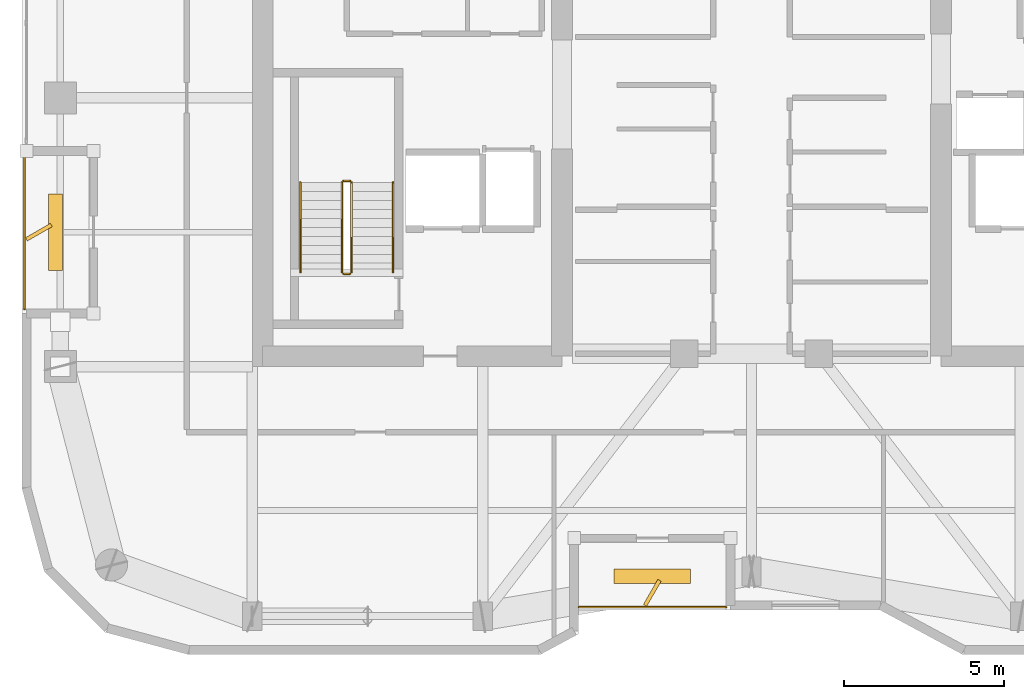
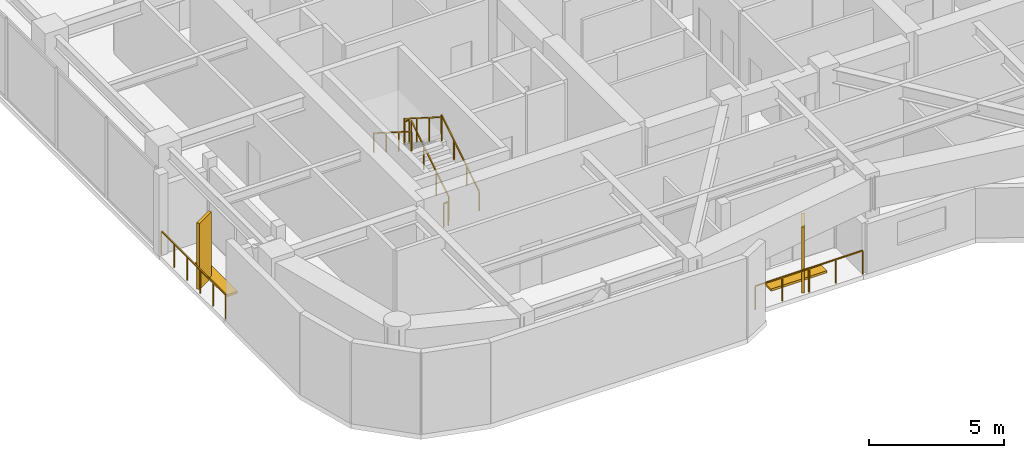
# One storey, part 19 of 21: 8 railings, 4 shading devices.
"""IFC4 building model written with IfcOpenShell, lengths in metres."""

from ifc_helpers import new_model, si_unit, direction, frame, origin, origin_2d, place, context, subcontext, project, spatial, rectangle, extrude, material, type_object, element, save


model = new_model("IFC4")

# Units and contexts
model_context = context("Model", 3, precision=1e-05, world=origin(), true_north=direction((0.0, 1.0)))
body_context = subcontext(model_context, "Body", "Model", "MODEL_VIEW")
ifc_project = project(units=[si_unit("LENGTHUNIT", "METRE"), si_unit("AREAUNIT", "SQUARE_METRE"), si_unit("VOLUMEUNIT", "CUBIC_METRE"), si_unit("PLANEANGLEUNIT", "RADIAN"), si_unit("MASSUNIT", "GRAM", prefix="KILO")], contexts=[model_context])

# Site, building, storey
site_placement = place(None, origin())
site = spatial("IfcSite", under=ifc_project, at=site_placement, CompositionType="ELEMENT")
building_placement = place(site_placement, origin())
building = spatial("IfcBuilding", under=site, at=building_placement, Name="Kiyonajd Concourse Tower", CompositionType="ELEMENT")
storey_placement = place(building_placement, frame((0.0, 0.0, 231.0)))
storey = spatial("IfcBuildingStorey", under=building, at=storey_placement, Name="L58", CompositionType="ELEMENT", Elevation=231.0)

# Railings
ifc_material_1 = material(Name="Thermally Broken Anodised Aluminium", Category="aluminium")
railing_type_1 = type_object("IfcRailingType", Name="RL-GRD-LOG", PredefinedType="GUARDRAIL", material=ifc_material_1)
railing_1_placement = place(storey_placement, frame((42.60009765625, 20.080078125, 0.0)))
element("IfcRailing", 1, at=railing_1_placement, inside=storey, type_object=railing_type_1, Name="L58 Engawa Loggia Perimeter Guard LOG-S", PredefinedType="GUARDRAIL", context=body_context, shape_type="SweptSolid", body=[
    extrude(rectangle(XDim=0.048095703125, YDim=0.048095703125, at=origin_2d()), frame((0.0, 0.0, 1.076171875), z_axis=(1.0, 0.0, 0.0), x_axis=(0.0, 1.0, 0.0)), (0.0, 0.0, 1.0), 4.599853515625),
    extrude(rectangle(XDim=0.0419921875, YDim=0.0419921875, at=origin_2d()), origin(), (0.0, 0.0, 1.0), 1.052001953125),
    extrude(rectangle(XDim=0.0419921875, YDim=0.0419921875, at=origin_2d()), frame((1.14990234375, 0.0, 0.0)), (0.0, 0.0, 1.0), 1.052001953125),
    extrude(rectangle(XDim=0.0419921875, YDim=0.0419921875, at=origin_2d()), frame((2.2998046875, 0.0, 0.0)), (0.0, 0.0, 1.0), 1.052001953125),
    extrude(rectangle(XDim=0.0419921875, YDim=0.0419921875, at=origin_2d()), frame((3.449951171875, 0.0, 0.0)), (0.0, 0.0, 1.0), 1.052001953125),
    extrude(rectangle(XDim=0.0419921875, YDim=0.0419921875, at=origin_2d()), frame((4.599853515625, 0.0, 0.0)), (0.0, 0.0, 1.0), 1.052001953125),
])
railing_2_placement = place(storey_placement, frame((25.280029296875, 34.199951171875, 0.0)))
element("IfcRailing", 2, at=railing_2_placement, inside=storey, type_object=railing_type_1, Name="L58 Engawa Loggia Perimeter Guard LOG-W", PredefinedType="GUARDRAIL", context=body_context, shape_type="SweptSolid", body=[
    extrude(rectangle(XDim=0.048095703125, YDim=0.048095703125, at=origin_2d()), frame((0.0, 0.0, 1.076171875), z_axis=(0.0, -1.0, 0.0), x_axis=(1.0, 0.0, 0.0)), (0.0, 0.0, 1.0), 4.800048828125),
    extrude(rectangle(XDim=0.0419921875, YDim=0.0419921875, at=origin_2d()), origin(), (0.0, 0.0, 1.0), 1.052001953125),
    extrude(rectangle(XDim=0.0419921875, YDim=0.0419921875, at=origin_2d()), frame((0.0, -0.9599609375, 0.0)), (0.0, 0.0, 1.0), 1.052001953125),
    extrude(rectangle(XDim=0.0419921875, YDim=0.0419921875, at=origin_2d()), frame((0.0, -1.919921875, 0.0)), (0.0, 0.0, 1.0), 1.052001953125),
    extrude(rectangle(XDim=0.0419921875, YDim=0.0419921875, at=origin_2d()), frame((0.0, -2.880126953125, 0.0)), (0.0, 0.0, 1.0), 1.052001953125),
    extrude(rectangle(XDim=0.0419921875, YDim=0.0419921875, at=origin_2d()), frame((0.0, -3.840087890625, 0.0)), (0.0, 0.0, 1.0), 1.052001953125),
    extrude(rectangle(XDim=0.0419921875, YDim=0.0419921875, at=origin_2d()), frame((0.0, -4.800048828125, 0.0)), (0.0, 0.0, 1.0), 1.052001953125),
])
ifc_material_2 = material(Name="Steel ASTM A500 Grade C", Category="steel")
railing_type_2 = type_object("IfcRailingType", Name="RL-GRD-STR", PredefinedType="GUARDRAIL", material=ifc_material_2)
railing_3_placement = place(storey_placement, frame((35.5, 30.550048828125, 0.17724609375)))
element("IfcRailing", 3, at=railing_3_placement, inside=storey, type_object=railing_type_2, Name="L58 ST1 stair guard 1", PredefinedType="GUARDRAIL", context=body_context, shape_type="SweptSolid", body=[
    extrude(rectangle(XDim=0.048095703125, YDim=0.048095703125, at=origin_2d()), frame((0.0, 0.0, 1.076171875), z_axis=(0.0, 0.844908973607, 0.534910110503), x_axis=(-1.0, 0.0, 0.0)), (0.0, 0.0, 1.0), 3.31396484375),
    extrude(rectangle(XDim=0.0419921875, YDim=0.0419921875, at=origin_2d()), origin(), (0.0, 0.0, 1.0), 1.052001953125),
    extrude(rectangle(XDim=0.0419921875, YDim=0.0419921875, at=origin_2d()), frame((0.0, 0.933349609375, 0.5908203125)), (0.0, 0.0, 1.0), 1.052001953125),
    extrude(rectangle(XDim=0.0419921875, YDim=0.0419921875, at=origin_2d()), frame((0.0, 1.86669921875, 1.181884765625)), (0.0, 0.0, 1.0), 1.052001953125),
    extrude(rectangle(XDim=0.0419921875, YDim=0.0419921875, at=origin_2d()), frame((0.0, 2.800048828125, 1.772705078125)), (0.0, 0.0, 1.0), 1.052001953125),
])
railing_4_placement = place(storey_placement, frame((35.449951171875, 33.39990234375, 1.949951171875)))
element("IfcRailing", 4, at=railing_4_placement, inside=storey, type_object=railing_type_2, Name="L58 ST1 stair guard 2", PredefinedType="GUARDRAIL", context=body_context, shape_type="SweptSolid", body=[
    extrude(rectangle(XDim=0.048095703125, YDim=0.048095703125, at=origin_2d()), frame((0.0, 0.0, 1.076171875), z_axis=(-1.0, 0.0, 0.0), x_axis=(0.0, -1.0, 0.0)), (0.0, 0.0, 1.0), 0.199951171875),
    extrude(rectangle(XDim=0.0419921875, YDim=0.0419921875, at=origin_2d()), origin(), (0.0, 0.0, 1.0), 1.052001953125),
    extrude(rectangle(XDim=0.0419921875, YDim=0.0419921875, at=origin_2d()), frame((-0.199951171875, 0.0, 0.0)), (0.0, 0.0, 1.0), 1.052001953125),
])
railing_5_placement = place(storey_placement, frame((35.199951171875, 33.35009765625, 2.127197265625)))
element("IfcRailing", 5, at=railing_5_placement, inside=storey, type_object=railing_type_2, Name="L58 ST1 stair guard 3", PredefinedType="GUARDRAIL", context=body_context, shape_type="SweptSolid", body=[
    extrude(rectangle(XDim=0.048095703125, YDim=0.048095703125, at=origin_2d()), frame((0.0, 0.0, 1.076171875), z_axis=(0.0, -0.844908973607, 0.534910110503), x_axis=(1.0, 0.0, 0.0)), (0.0, 0.0, 1.0), 3.31396484375),
    extrude(rectangle(XDim=0.0419921875, YDim=0.0419921875, at=origin_2d()), origin(), (0.0, 0.0, 1.0), 1.052001953125),
    extrude(rectangle(XDim=0.0419921875, YDim=0.0419921875, at=origin_2d()), frame((0.0, -0.933349609375, 0.5908203125)), (0.0, 0.0, 1.0), 1.052001953125),
    extrude(rectangle(XDim=0.0419921875, YDim=0.0419921875, at=origin_2d()), frame((0.0, -1.86669921875, 1.181884765625)), (0.0, 0.0, 1.0), 1.052001953125),
    extrude(rectangle(XDim=0.0419921875, YDim=0.0419921875, at=origin_2d()), frame((0.0, -2.800048828125, 1.772705078125)), (0.0, 0.0, 1.0), 1.052001953125),
])
railing_6_placement = place(storey_placement, frame((35.449951171875, 30.5, 0.0)))
element("IfcRailing", 6, at=railing_6_placement, inside=storey, type_object=railing_type_2, Name="L58 ST1 stair guard 4", PredefinedType="GUARDRAIL", context=body_context, shape_type="SweptSolid", body=[
    extrude(rectangle(XDim=0.048095703125, YDim=0.048095703125, at=origin_2d()), frame((0.0, 0.0, 1.076171875), z_axis=(-1.0, 0.0, 0.0), x_axis=(0.0, -1.0, 0.0)), (0.0, 0.0, 1.0), 0.199951171875),
    extrude(rectangle(XDim=0.0419921875, YDim=0.0419921875, at=origin_2d()), origin(), (0.0, 0.0, 1.0), 1.052001953125),
    extrude(rectangle(XDim=0.0419921875, YDim=0.0419921875, at=origin_2d()), frame((-0.199951171875, 0.0, 0.0)), (0.0, 0.0, 1.0), 1.052001953125),
])
ifc_material_3 = material(Name="Brushed Stainless Steel Cab Assembly", Category="steel")
railing_type_3 = type_object("IfcRailingType", Name="RL-HND-900", PredefinedType="HANDRAIL", material=ifc_material_3)
railing_7_placement = place(storey_placement, frame((36.800048828125, 30.550048828125, 0.17724609375)))
element("IfcRailing", 7, at=railing_7_placement, inside=storey, type_object=railing_type_3, Name="L58 ST1 stair handrail 1", PredefinedType="HANDRAIL", context=body_context, shape_type="SweptSolid", body=[
    extrude(rectangle(XDim=0.048095703125, YDim=0.048095703125, at=origin_2d()), frame((0.0, 0.0, 0.8759765625), z_axis=(0.0, 0.844908973607, 0.534910110503), x_axis=(-1.0, 0.0, 0.0)), (0.0, 0.0, 1.0), 3.31396484375),
    extrude(rectangle(XDim=0.0419921875, YDim=0.0419921875, at=origin_2d()), origin(), (0.0, 0.0, 1.0), 0.851806640625),
    extrude(rectangle(XDim=0.0419921875, YDim=0.0419921875, at=origin_2d()), frame((0.0, 0.933349609375, 0.5908203125)), (0.0, 0.0, 1.0), 0.851806640625),
    extrude(rectangle(XDim=0.0419921875, YDim=0.0419921875, at=origin_2d()), frame((0.0, 1.86669921875, 1.181884765625)), (0.0, 0.0, 1.0), 0.851806640625),
    extrude(rectangle(XDim=0.0419921875, YDim=0.0419921875, at=origin_2d()), frame((0.0, 2.800048828125, 1.772705078125)), (0.0, 0.0, 1.0), 0.851806640625),
])
railing_8_placement = place(storey_placement, frame((33.89990234375, 33.35009765625, 2.127197265625)))
element("IfcRailing", 8, at=railing_8_placement, inside=storey, type_object=railing_type_3, Name="L58 ST1 stair handrail 2", PredefinedType="HANDRAIL", context=body_context, shape_type="SweptSolid", body=[
    extrude(rectangle(XDim=0.048095703125, YDim=0.048095703125, at=origin_2d()), frame((0.0, 0.0, 0.8759765625), z_axis=(0.0, -0.844908973607, 0.534910110503), x_axis=(1.0, 0.0, 0.0)), (0.0, 0.0, 1.0), 3.31396484375),
    extrude(rectangle(XDim=0.0419921875, YDim=0.0419921875, at=origin_2d()), origin(), (0.0, 0.0, 1.0), 0.851806640625),
    extrude(rectangle(XDim=0.0419921875, YDim=0.0419921875, at=origin_2d()), frame((0.0, -0.933349609375, 0.5908203125)), (0.0, 0.0, 1.0), 0.851806640625),
    extrude(rectangle(XDim=0.0419921875, YDim=0.0419921875, at=origin_2d()), frame((0.0, -1.86669921875, 1.181884765625)), (0.0, 0.0, 1.0), 0.851806640625),
    extrude(rectangle(XDim=0.0419921875, YDim=0.0419921875, at=origin_2d()), frame((0.0, -2.800048828125, 1.772705078125)), (0.0, 0.0, 1.0), 0.851806640625),
])

# Shading devices
ifc_material_4 = material(Name="Precast concrete C50/60", Category="concrete")
shading_device_type_1 = type_object("IfcShadingDeviceType", Name="SH-FIN-900", PredefinedType="USERDEFINED", material=ifc_material_4)
for number, where, z_axis, x_axis, name in (
    (9, (44.89990234375, 20.530029296875, 0.0), (0.0, 0.0, 1.0), (0.5, 0.866025403784, 0.0), "L58 Angled Koshi Solar Fin LOG-S"),
    (10, (25.72998046875, 31.800048828125, 0.0), (0.0, 0.0, 1.0), (0.866025403784, 0.5, 0.0), "L58 Angled Koshi Solar Fin LOG-W"),
):
    element("IfcShadingDevice", number, at=place(storey_placement, frame(where, z_axis=z_axis, x_axis=x_axis)), inside=storey, type_object=shading_device_type_1, Name=name, ObjectType="FIN", PredefinedType="USERDEFINED", context=body_context, shape_type="SweptSolid", body=[
        extrude(rectangle(XDim=0.89990234375, YDim=0.1201171875, at=origin_2d()), origin(), (0.0, 0.0, 1.0), 3.0),
    ])
shading_device_type_2 = type_object("IfcShadingDeviceType", Name="SH-LVR-600", PredefinedType="JALOUSIE", material=ifc_material_1)
for number, where, z_axis, x_axis, name in (
    (11, (44.89990234375, 21.050048828125, 0.0), (0.0, 0.0, 1.0), (1.0, 0.0, 0.0), "L58 Loggia Threshold Louver LOG-S"),
    (12, (26.25, 31.800048828125, 0.0), (0.0, 0.0, 1.0), (0.0, 1.0, 0.0), "L58 Loggia Threshold Louver LOG-W"),
):
    element("IfcShadingDevice", number, at=place(storey_placement, frame(where, z_axis=z_axis, x_axis=x_axis)), inside=storey, type_object=shading_device_type_2, Name=name, PredefinedType="JALOUSIE", context=body_context, shape_type="SweptSolid", body=[
        extrude(rectangle(XDim=2.39990234375, YDim=0.449951171875, at=origin_2d()), origin(), (0.0, 0.0, 1.0), 0.10009765625),
    ])

save(model, "model.ifc")
